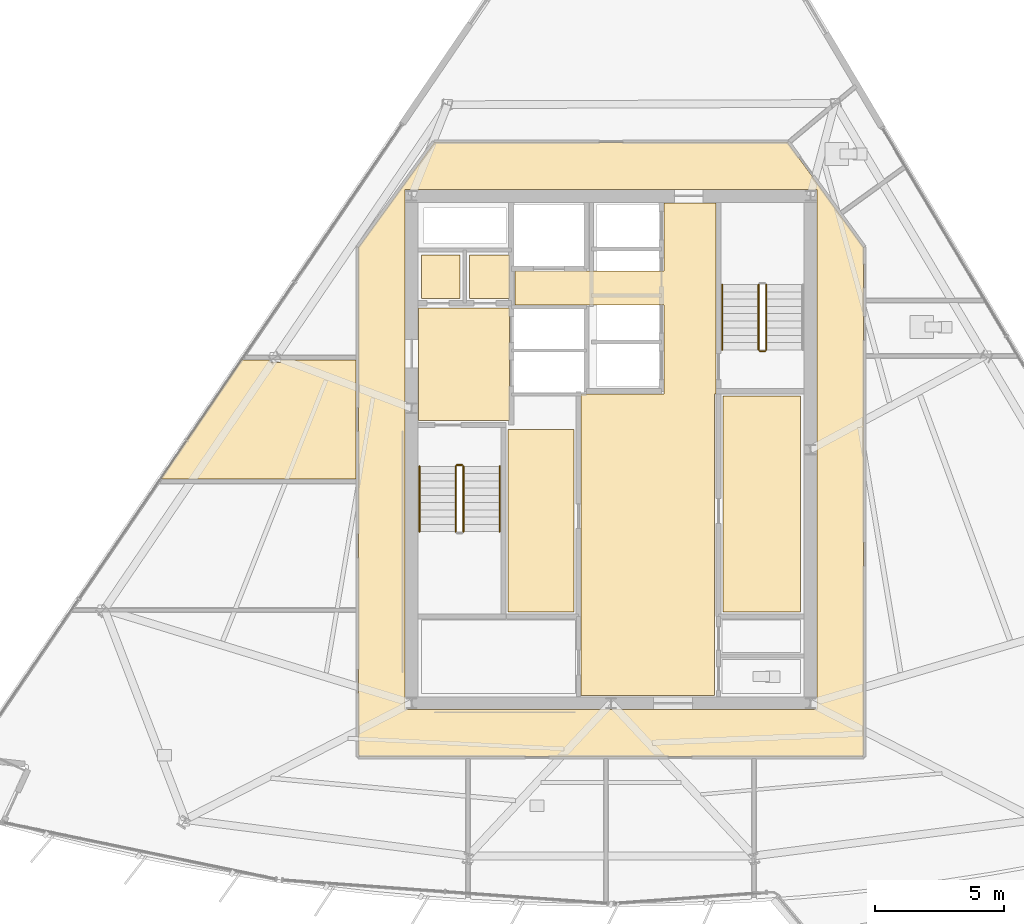
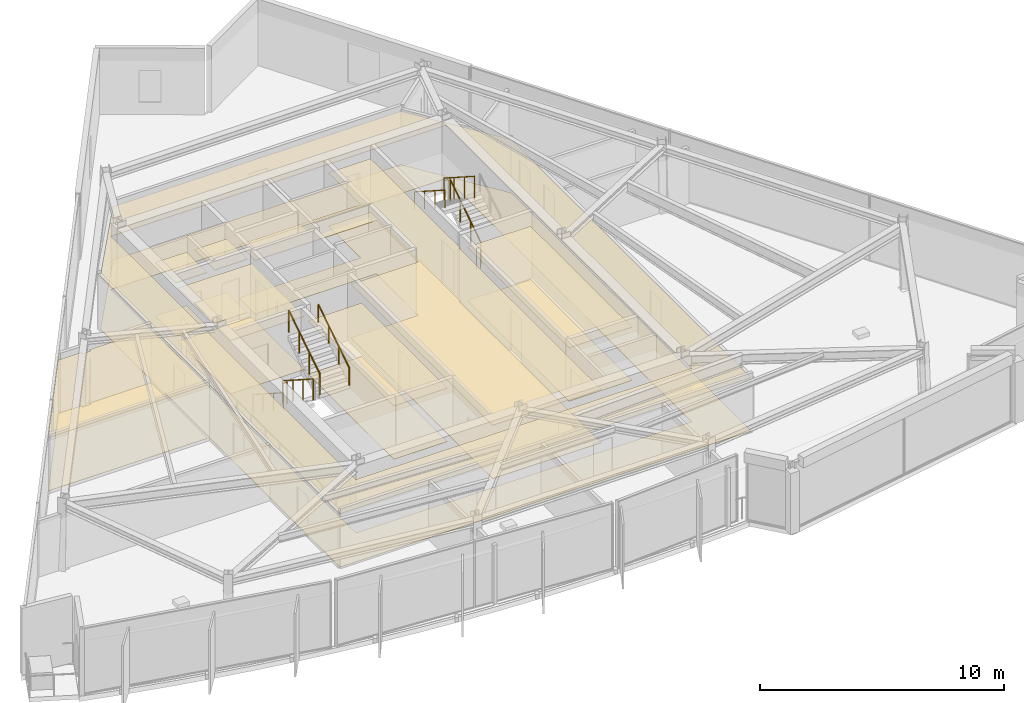
# One storey, part 11 of 14: 16 coverings, 9 railings.
"""IFC4 building model written with IfcOpenShell, lengths in metres."""

from ifc_helpers import new_model, si_unit, direction, frame, origin, origin_2d, place, context, subcontext, project, spatial, polyline, circle, outline, extrude, material, layer, layer_set, type_object, element, save


model = new_model("IFC4")

# Units and contexts
model_context = context("Model", 3, precision=1e-05, world=origin(), true_north=direction((0.0, 1.0)))
body_context = subcontext(model_context, "Body", "Model", "MODEL_VIEW")
ifc_project = project(units=[si_unit("LENGTHUNIT", "METRE"), si_unit("AREAUNIT", "SQUARE_METRE"), si_unit("VOLUMEUNIT", "CUBIC_METRE"), si_unit("PLANEANGLEUNIT", "RADIAN"), si_unit("MASSUNIT", "GRAM", prefix="KILO")], contexts=[model_context])

# Site, building, storey
site_placement = place(None, origin())
site = spatial("IfcSite", under=ifc_project, at=site_placement, CompositionType="ELEMENT")
building_placement = place(site_placement, origin())
building = spatial("IfcBuilding", under=site, at=building_placement, Name="Savorim Split Tower", CompositionType="ELEMENT")
storey_placement = place(building_placement, frame((0.0, 0.0, 219.89990234375)))
storey = spatial("IfcBuildingStorey", under=building, at=storey_placement, Name="L58", CompositionType="ELEMENT", Elevation=219.89990234375)

# Coverings
ifc_material_1 = material(Name="Mineral Fibre Acoustic Ceiling")
ifc_layer_1 = layer(ifc_material_1, 0.02490234375)
ifc_layer_set_1 = layer_set([ifc_layer_1], Name="COV-CEIL-25")
covering_type_1 = type_object("IfcCoveringType", Name="COV-CEIL-25", PredefinedType="CEILING", material=ifc_layer_set_1)
covering_1_placement = place(storey_placement, frame((0.0, 0.0, 2.670166015625)))
element("IfcCovering", 1, at=covering_1_placement, inside=storey, type_object=covering_type_1, Name="L58 Firefighting Lift Lobby Acoustic Ceiling", PredefinedType="CEILING", context=body_context, shape_type="SweptSolid", body=[
    extrude(outline(polyline([(-7.429931640625, 5.8701171875), (-7.429931640625, 1.530029296875), (-3.929931640625, 1.530029296875), (-3.929931640625, 5.8701171875), (-7.429931640625, 5.8701171875)])), origin(), (0.0, 0.0, 1.0), 0.02490234375),
])
covering_2_placement = place(storey_placement, frame((0.0, 0.0, 2.670166015625)))
element("IfcCovering", 2, at=covering_2_placement, inside=storey, type_object=covering_type_1, Name="L58 Electrical Riser Acoustic Ceiling", PredefinedType="CEILING", context=body_context, shape_type="SweptSolid", body=[
    extrude(outline(polyline([(-7.320068359375, 7.919921875), (-7.320068359375, 6.22998046875), (-5.830078125, 6.22998046875), (-5.830078125, 7.919921875), (-7.320068359375, 7.919921875)])), origin(), (0.0, 0.0, 1.0), 0.02490234375),
])
covering_3_placement = place(storey_placement, frame((0.0, 0.0, 2.670166015625)))
element("IfcCovering", 3, at=covering_3_placement, inside=storey, type_object=covering_type_1, Name="L58 Telecom Riser Acoustic Ceiling", PredefinedType="CEILING", context=body_context, shape_type="SweptSolid", body=[
    extrude(outline(polyline([(-5.469970703125, 7.919921875), (-5.469970703125, 6.22998046875), (-3.929931640625, 6.22998046875), (-3.929931640625, 7.919921875), (-5.469970703125, 7.919921875)])), origin(), (0.0, 0.0, 1.0), 0.02490234375),
])
covering_4_placement = place(storey_placement, frame((0.0, 0.0, 2.670166015625)))
element("IfcCovering", 4, at=covering_4_placement, inside=storey, type_object=covering_type_1, Name="L58 Lift Lobby Acoustic Ceiling", PredefinedType="CEILING", context=body_context, shape_type="SweptSolid", body=[
    extrude(outline(polyline([(2.050048828125, 2.550048828125), (-1.14990234375, 2.550048828125), (-1.14990234375, -9.10009765625), (4.0, -9.10009765625), (4.0, 2.550048828125), (4.050048828125, 2.550048828125), (4.050048828125, 5.97998046875), (4.050048828125, 7.300048828125), (4.050048828125, 9.929931640625), (2.050048828125, 9.929931640625), (2.050048828125, 7.300048828125), (-3.699951171875, 7.300048828125), (-3.699951171875, 5.97998046875), (2.050048828125, 5.97998046875), (2.050048828125, 2.550048828125)])), origin(), (0.0, 0.0, 1.0), 0.02490234375),
])
covering_5_placement = place(storey_placement, frame((0.0, 0.0, 2.670166015625)))
element("IfcCovering", 5, at=covering_5_placement, inside=storey, type_object=covering_type_1, Name="L58 Shared Pantry and Linen Room Acoustic Ceiling", PredefinedType="CEILING", context=body_context, shape_type="SweptSolid", body=[
    extrude(outline(polyline([(4.330078125, 2.469970703125), (4.330078125, -5.8701171875), (7.320068359375, -5.8701171875), (7.320068359375, 2.469970703125), (4.330078125, 2.469970703125)])), origin(), (0.0, 0.0, 1.0), 0.02490234375),
])
covering_6_placement = place(storey_placement, frame((0.0, 0.0, 2.670166015625)))
element("IfcCovering", 6, at=covering_6_placement, inside=storey, type_object=covering_type_1, Name="L58 Housekeeping and Parcel Room Acoustic Ceiling", PredefinedType="CEILING", context=body_context, shape_type="SweptSolid", body=[
    extrude(outline(polyline([(-3.969970703125, 1.169921875), (-3.969970703125, -5.8701171875), (-1.429931640625, -5.8701171875), (-1.429931640625, 1.169921875), (-3.969970703125, 1.169921875)])), origin(), (0.0, 0.0, 1.0), 0.02490234375),
])
covering_7_placement = place(storey_placement, frame((0.0, 0.0, 2.670166015625)))
element("IfcCovering", 7, at=covering_7_placement, inside=storey, type_object=covering_type_1, Name="L58 Corridor Acoustic Ceiling", PredefinedType="CEILING", context=body_context, shape_type="SweptSolid", body=[
    extrude(outline(polyline([(6.809326171875, 12.2490234375), (6.8046875, 12.249755859375), (6.800048828125, 12.25), (-6.800048828125, 12.25), (-6.8046875, 12.249755859375), (-6.809326171875, 12.2490234375), (-6.81396484375, 12.248046875), (-6.818359375, 12.24658203125), (-6.82275390625, 12.244384765625), (-6.826904296875, 12.2421875), (-6.830810546875, 12.239501953125), (-6.834228515625, 12.236328125), (-6.83740234375, 12.23291015625), (-6.840576171875, 12.229248046875), (-9.740478515625, 8.229248046875), (-9.743408203125, 8.22509765625), (-9.74560546875, 8.22021484375), (-9.74755859375, 8.21533203125), (-9.748779296875, 8.21044921875), (-9.749755859375, 8.205078125), (-9.75, 8.199951171875), (-9.75, -11.39990234375), (-9.749755859375, -11.40478515625), (-9.7490234375, -11.409912109375), (-9.747802734375, -11.41455078125), (-9.74609375, -11.419189453125), (-9.744140625, -11.423583984375), (-9.74169921875, -11.427734375), (-9.73876953125, -11.431640625), (-9.7353515625, -11.435302734375), (-9.731689453125, -11.438720703125), (-9.727783203125, -11.441650390625), (-9.7236328125, -11.444091796875), (-9.718994140625, -11.4462890625), (-9.714599609375, -11.44775390625), (-9.709716796875, -11.448974609375), (-9.704833984375, -11.44970703125), (-9.699951171875, -11.449951171875), (9.699951171875, -11.449951171875), (9.704833984375, -11.44970703125), (9.709716796875, -11.448974609375), (9.714599609375, -11.44775390625), (9.718994140625, -11.4462890625), (9.7236328125, -11.444091796875), (9.727783203125, -11.441650390625), (9.731689453125, -11.438720703125), (9.7353515625, -11.435302734375), (9.73876953125, -11.431640625), (9.74169921875, -11.427734375), (9.744140625, -11.423583984375), (9.74609375, -11.419189453125), (9.747802734375, -11.41455078125), (9.7490234375, -11.409912109375), (9.749755859375, -11.40478515625), (9.75, -11.39990234375), (9.75, 8.199951171875), (9.749755859375, 8.205078125), (9.748779296875, 8.21044921875), (9.74755859375, 8.21533203125), (9.74560546875, 8.22021484375), (9.743408203125, 8.22509765625), (9.740478515625, 8.229248046875), (6.840576171875, 12.229248046875), (6.83740234375, 12.23291015625), (6.834228515625, 12.236328125), (6.830810546875, 12.239501953125), (6.826904296875, 12.2421875), (6.82275390625, 12.244384765625), (6.818359375, 12.24658203125), (6.81396484375, 12.248046875), (6.809326171875, 12.2490234375)]), holes=[polyline([(-7.949951171875, 10.449951171875), (-7.949951171875, -9.64990234375), (7.949951171875, -9.64990234375), (7.949951171875, 10.449951171875), (-7.949951171875, 10.449951171875)])]), origin(), (0.0, 0.0, 1.0), 0.02490234375),
])
covering_8_placement = place(storey_placement, frame((0.0, 0.0, 2.670166015625)))
element("IfcCovering", 8, at=covering_8_placement, inside=storey, type_object=covering_type_1, Name="L58 Quiet Study Room Acoustic Ceiling", PredefinedType="CEILING", context=body_context, shape_type="SweptSolid", body=[
    extrude(outline(polyline([(-13.167236328125, 3.862060546875), (-14.140625, 3.862060546875), (-14.235595703125, 3.862060546875), (-14.235595703125, 3.90625), (-17.397705078125, -0.741943359375), (-9.840087890625, -0.741943359375), (-9.840087890625, 3.862060546875), (-12.773193359375, 3.862060546875), (-12.773193359375, 3.760986328125), (-13.167236328125, 3.760986328125), (-13.167236328125, 3.862060546875)])), origin(), (0.0, 0.0, 1.0), 0.02490234375),
])
ifc_material_2 = material(Name="Porcelain Stoneware Flooring", Category="masonry")
ifc_layer_2 = layer(ifc_material_2, 0.02001953125)
ifc_layer_set_2 = layer_set([ifc_layer_2], Name="COV-FLOR-20")
covering_type_2 = type_object("IfcCoveringType", Name="COV-FLOR-20", PredefinedType="FLOORING", material=ifc_layer_set_2)
covering_9_placement = place(storey_placement, origin())
element("IfcCovering", 9, at=covering_9_placement, inside=storey, type_object=covering_type_2, Name="L58 Firefighting Lift Lobby Porcelain Flooring", PredefinedType="FLOORING", context=body_context, shape_type="SweptSolid", body=[
    extrude(outline(polyline([(-7.429931640625, 5.8701171875), (-7.429931640625, 1.530029296875), (-3.929931640625, 1.530029296875), (-3.929931640625, 5.8701171875), (-7.429931640625, 5.8701171875)])), origin(), (0.0, 0.0, 1.0), 0.02001953125),
])
covering_10_placement = place(storey_placement, origin())
element("IfcCovering", 10, at=covering_10_placement, inside=storey, type_object=covering_type_2, Name="L58 Electrical Riser Porcelain Flooring", PredefinedType="FLOORING", context=body_context, shape_type="SweptSolid", body=[
    extrude(outline(polyline([(-7.320068359375, 7.919921875), (-7.320068359375, 6.22998046875), (-5.830078125, 6.22998046875), (-5.830078125, 7.919921875), (-7.320068359375, 7.919921875)])), origin(), (0.0, 0.0, 1.0), 0.02001953125),
])
covering_11_placement = place(storey_placement, origin())
element("IfcCovering", 11, at=covering_11_placement, inside=storey, type_object=covering_type_2, Name="L58 Telecom Riser Porcelain Flooring", PredefinedType="FLOORING", context=body_context, shape_type="SweptSolid", body=[
    extrude(outline(polyline([(-5.469970703125, 7.919921875), (-5.469970703125, 6.22998046875), (-3.929931640625, 6.22998046875), (-3.929931640625, 7.919921875), (-5.469970703125, 7.919921875)])), origin(), (0.0, 0.0, 1.0), 0.02001953125),
])
covering_12_placement = place(storey_placement, origin())
element("IfcCovering", 12, at=covering_12_placement, inside=storey, type_object=covering_type_2, Name="L58 Lift Lobby Porcelain Flooring", PredefinedType="FLOORING", context=body_context, shape_type="SweptSolid", body=[
    extrude(outline(polyline([(2.050048828125, 2.550048828125), (-1.14990234375, 2.550048828125), (-1.14990234375, -9.10009765625), (4.0, -9.10009765625), (4.0, 2.550048828125), (4.050048828125, 2.550048828125), (4.050048828125, 5.97998046875), (4.050048828125, 7.300048828125), (4.050048828125, 9.929931640625), (2.050048828125, 9.929931640625), (2.050048828125, 7.300048828125), (-3.699951171875, 7.300048828125), (-3.699951171875, 5.97998046875), (2.050048828125, 5.97998046875), (2.050048828125, 2.550048828125)])), origin(), (0.0, 0.0, 1.0), 0.02001953125),
])
covering_13_placement = place(storey_placement, origin())
element("IfcCovering", 13, at=covering_13_placement, inside=storey, type_object=covering_type_2, Name="L58 Shared Pantry and Linen Room Porcelain Flooring", PredefinedType="FLOORING", context=body_context, shape_type="SweptSolid", body=[
    extrude(outline(polyline([(4.330078125, 2.469970703125), (4.330078125, -5.8701171875), (7.320068359375, -5.8701171875), (7.320068359375, 2.469970703125), (4.330078125, 2.469970703125)])), origin(), (0.0, 0.0, 1.0), 0.02001953125),
])
covering_14_placement = place(storey_placement, origin())
element("IfcCovering", 14, at=covering_14_placement, inside=storey, type_object=covering_type_2, Name="L58 Housekeeping and Parcel Room Porcelain Flooring", PredefinedType="FLOORING", context=body_context, shape_type="SweptSolid", body=[
    extrude(outline(polyline([(-3.969970703125, 1.169921875), (-3.969970703125, -5.8701171875), (-1.429931640625, -5.8701171875), (-1.429931640625, 1.169921875), (-3.969970703125, 1.169921875)])), origin(), (0.0, 0.0, 1.0), 0.02001953125),
])
covering_15_placement = place(storey_placement, origin())
element("IfcCovering", 15, at=covering_15_placement, inside=storey, type_object=covering_type_2, Name="L58 Corridor Porcelain Flooring", PredefinedType="FLOORING", context=body_context, shape_type="SweptSolid", body=[
    extrude(outline(polyline([(6.809326171875, 12.2490234375), (6.8046875, 12.249755859375), (6.800048828125, 12.25), (-6.800048828125, 12.25), (-6.8046875, 12.249755859375), (-6.809326171875, 12.2490234375), (-6.81396484375, 12.248046875), (-6.818359375, 12.24658203125), (-6.82275390625, 12.244384765625), (-6.826904296875, 12.2421875), (-6.830810546875, 12.239501953125), (-6.834228515625, 12.236328125), (-6.83740234375, 12.23291015625), (-6.840576171875, 12.229248046875), (-9.740478515625, 8.229248046875), (-9.743408203125, 8.22509765625), (-9.74560546875, 8.22021484375), (-9.74755859375, 8.21533203125), (-9.748779296875, 8.21044921875), (-9.749755859375, 8.205078125), (-9.75, 8.199951171875), (-9.75, -11.39990234375), (-9.749755859375, -11.40478515625), (-9.7490234375, -11.409912109375), (-9.747802734375, -11.41455078125), (-9.74609375, -11.419189453125), (-9.744140625, -11.423583984375), (-9.74169921875, -11.427734375), (-9.73876953125, -11.431640625), (-9.7353515625, -11.435302734375), (-9.731689453125, -11.438720703125), (-9.727783203125, -11.441650390625), (-9.7236328125, -11.444091796875), (-9.718994140625, -11.4462890625), (-9.714599609375, -11.44775390625), (-9.709716796875, -11.448974609375), (-9.704833984375, -11.44970703125), (-9.699951171875, -11.449951171875), (9.699951171875, -11.449951171875), (9.704833984375, -11.44970703125), (9.709716796875, -11.448974609375), (9.714599609375, -11.44775390625), (9.718994140625, -11.4462890625), (9.7236328125, -11.444091796875), (9.727783203125, -11.441650390625), (9.731689453125, -11.438720703125), (9.7353515625, -11.435302734375), (9.73876953125, -11.431640625), (9.74169921875, -11.427734375), (9.744140625, -11.423583984375), (9.74609375, -11.419189453125), (9.747802734375, -11.41455078125), (9.7490234375, -11.409912109375), (9.749755859375, -11.40478515625), (9.75, -11.39990234375), (9.75, 8.199951171875), (9.749755859375, 8.205078125), (9.748779296875, 8.21044921875), (9.74755859375, 8.21533203125), (9.74560546875, 8.22021484375), (9.743408203125, 8.22509765625), (9.740478515625, 8.229248046875), (6.840576171875, 12.229248046875), (6.83740234375, 12.23291015625), (6.834228515625, 12.236328125), (6.830810546875, 12.239501953125), (6.826904296875, 12.2421875), (6.82275390625, 12.244384765625), (6.818359375, 12.24658203125), (6.81396484375, 12.248046875), (6.809326171875, 12.2490234375)]), holes=[polyline([(-7.949951171875, 10.449951171875), (-7.949951171875, -9.64990234375), (7.949951171875, -9.64990234375), (7.949951171875, 10.449951171875), (-7.949951171875, 10.449951171875)])]), origin(), (0.0, 0.0, 1.0), 0.02001953125),
])
covering_16_placement = place(storey_placement, origin())
element("IfcCovering", 16, at=covering_16_placement, inside=storey, type_object=covering_type_2, Name="L58 Quiet Study Room Porcelain Flooring", PredefinedType="FLOORING", context=body_context, shape_type="SweptSolid", body=[
    extrude(outline(polyline([(-13.167236328125, 3.862060546875), (-14.140625, 3.862060546875), (-14.235595703125, 3.862060546875), (-14.235595703125, 3.90625), (-17.397705078125, -0.741943359375), (-9.840087890625, -0.741943359375), (-9.840087890625, 3.862060546875), (-12.773193359375, 3.862060546875), (-12.773193359375, 3.760986328125), (-13.167236328125, 3.760986328125), (-13.167236328125, 3.862060546875)])), origin(), (0.0, 0.0, 1.0), 0.02001953125),
])

# Railings
ifc_material_3 = material(Name="Galvanised Painted Steel Balustrade", Category="steel")
railing_type_1 = type_object("IfcRailingType", Name="RLG-HR-900", PredefinedType="HANDRAIL", material=ifc_material_3)
railing_1_placement = place(storey_placement, frame((-7.39990234375, -0.25, 0.18017578125)))
element("IfcRailing", 17, at=railing_1_placement, inside=storey, type_object=railing_type_1, Name="L58 ST-1 stair handrail 1", PredefinedType="HANDRAIL", context=body_context, shape_type="SweptSolid", body=[
    extrude(circle(Radius=0.02392578125, at=origin_2d()), frame((0.0, 0.0, 0.8759765625), z_axis=(0.0, -0.841199657755, 0.540724639528), x_axis=(1.0, 0.0, 0.0)), (0.0, 0.0, 1.0), 2.995849609375),
    extrude(circle(Radius=0.02099609375, at=origin_2d()), origin(), (0.0, 0.0, 1.0), 0.851806640625),
    extrude(circle(Radius=0.02099609375, at=origin_2d()), frame((0.0, -0.840087890625, 0.5400390625)), (0.0, 0.0, 1.0), 0.851806640625),
    extrude(circle(Radius=0.02099609375, at=origin_2d()), frame((0.0, -1.679931640625, 1.079833984375)), (0.0, 0.0, 1.0), 0.851806640625),
    extrude(circle(Radius=0.02099609375, at=origin_2d()), frame((0.0, -2.52001953125, 1.619873046875)), (0.0, 0.0, 1.0), 0.851806640625),
])
railing_2_placement = place(storey_placement, frame((-4.300048828125, -2.77001953125, 1.97998046875)))
element("IfcRailing", 18, at=railing_2_placement, inside=storey, type_object=railing_type_1, Name="L58 ST-1 stair handrail 2", PredefinedType="HANDRAIL", context=body_context, shape_type="SweptSolid", body=[
    extrude(circle(Radius=0.02392578125, at=origin_2d()), frame((0.0, 0.0, 0.8759765625), z_axis=(0.0, 0.841162588446, 0.540782303519), x_axis=(-1.0, 0.0, 0.0)), (0.0, 0.0, 1.0), 2.995849609375),
    extrude(circle(Radius=0.02099609375, at=origin_2d()), origin(), (0.0, 0.0, 1.0), 0.851806640625),
    extrude(circle(Radius=0.02099609375, at=origin_2d()), frame((0.0, 0.840087890625, 0.5400390625)), (0.0, 0.0, 1.0), 0.851806640625),
    extrude(circle(Radius=0.02099609375, at=origin_2d()), frame((0.0, 1.679931640625, 1.080078125)), (0.0, 0.0, 1.0), 0.851806640625),
    extrude(circle(Radius=0.02099609375, at=origin_2d()), frame((0.0, 2.52001953125, 1.6201171875)), (0.0, 0.0, 1.0), 0.851806640625),
])
railing_3_placement = place(storey_placement, frame((4.300048828125, 6.77001953125, 1.97998046875)))
element("IfcRailing", 19, at=railing_3_placement, inside=storey, type_object=railing_type_1, Name="L58 ST-2 stair handrail 2", PredefinedType="HANDRAIL", context=body_context, shape_type="SweptSolid", body=[
    extrude(circle(Radius=0.02392578125, at=origin_2d()), frame((0.0, 0.0, 0.8759765625), z_axis=(0.0, -0.841162588446, 0.540782303519), x_axis=(1.0, 0.0, 0.0)), (0.0, 0.0, 1.0), 2.995849609375),
    extrude(circle(Radius=0.02099609375, at=origin_2d()), origin(), (0.0, 0.0, 1.0), 0.851806640625),
    extrude(circle(Radius=0.02099609375, at=origin_2d()), frame((0.0, -0.840087890625, 0.5400390625)), (0.0, 0.0, 1.0), 0.851806640625),
    extrude(circle(Radius=0.02099609375, at=origin_2d()), frame((0.0, -1.679931640625, 1.080078125)), (0.0, 0.0, 1.0), 0.851806640625),
    extrude(circle(Radius=0.02099609375, at=origin_2d()), frame((0.0, -2.52001953125, 1.6201171875)), (0.0, 0.0, 1.0), 0.851806640625),
])
railing_type_2 = type_object("IfcRailingType", Name="RLG-STG-1100", PredefinedType="BALUSTRADE", material=ifc_material_3)
railing_4_placement = place(storey_placement, frame((-6.0, -0.25, 0.18017578125)))
element("IfcRailing", 20, at=railing_4_placement, inside=storey, type_object=railing_type_2, Name="L58 ST-1 stair guard 1", PredefinedType="BALUSTRADE", context=body_context, shape_type="SweptSolid", body=[
    extrude(circle(Radius=0.02392578125, at=origin_2d()), frame((0.0, 0.0, 1.076171875), z_axis=(0.0, -0.841199657755, 0.540724639528), x_axis=(1.0, 0.0, 0.0)), (0.0, 0.0, 1.0), 2.995849609375),
    extrude(circle(Radius=0.02099609375, at=origin_2d()), origin(), (0.0, 0.0, 1.0), 1.052001953125),
    extrude(circle(Radius=0.02099609375, at=origin_2d()), frame((0.0, -0.840087890625, 0.5400390625)), (0.0, 0.0, 1.0), 1.052001953125),
    extrude(circle(Radius=0.02099609375, at=origin_2d()), frame((0.0, -1.679931640625, 1.079833984375)), (0.0, 0.0, 1.0), 1.052001953125),
    extrude(circle(Radius=0.02099609375, at=origin_2d()), frame((0.0, -2.52001953125, 1.619873046875)), (0.0, 0.0, 1.0), 1.052001953125),
])
railing_5_placement = place(storey_placement, frame((-5.699951171875, -2.77001953125, 1.97998046875)))
element("IfcRailing", 21, at=railing_5_placement, inside=storey, type_object=railing_type_2, Name="L58 ST-1 stair guard 3", PredefinedType="BALUSTRADE", context=body_context, shape_type="SweptSolid", body=[
    extrude(circle(Radius=0.02392578125, at=origin_2d()), frame((0.0, 0.0, 1.076171875), z_axis=(0.0, 0.841162588446, 0.540782303519), x_axis=(-1.0, 0.0, 0.0)), (0.0, 0.0, 1.0), 2.995849609375),
    extrude(circle(Radius=0.02099609375, at=origin_2d()), origin(), (0.0, 0.0, 1.0), 1.052001953125),
    extrude(circle(Radius=0.02099609375, at=origin_2d()), frame((0.0, 0.840087890625, 0.5400390625)), (0.0, 0.0, 1.0), 1.052001953125),
    extrude(circle(Radius=0.02099609375, at=origin_2d()), frame((0.0, 1.679931640625, 1.080078125)), (0.0, 0.0, 1.0), 1.052001953125),
    extrude(circle(Radius=0.02099609375, at=origin_2d()), frame((0.0, 2.52001953125, 1.6201171875)), (0.0, 0.0, 1.0), 1.052001953125),
])
railing_6_placement = place(storey_placement, frame((-5.949951171875, -0.199951171875, 0.0)))
element("IfcRailing", 22, at=railing_6_placement, inside=storey, type_object=railing_type_2, Name="L58 ST-1 stair guard 4", PredefinedType="BALUSTRADE", context=body_context, shape_type="SweptSolid", body=[
    extrude(circle(Radius=0.02392578125, at=origin_2d()), frame((0.0, 0.0, 1.076171875), z_axis=(1.0, 0.0, 0.0), x_axis=(0.0, 1.0, 0.0)), (0.0, 0.0, 1.0), 0.199951171875),
    extrude(circle(Radius=0.02099609375, at=origin_2d()), origin(), (0.0, 0.0, 1.0), 1.052001953125),
    extrude(circle(Radius=0.02099609375, at=origin_2d()), frame((0.199951171875, 0.0, 0.0)), (0.0, 0.0, 1.0), 1.052001953125),
])
railing_7_placement = place(storey_placement, frame((6.0, 4.25, 0.18017578125)))
element("IfcRailing", 23, at=railing_7_placement, inside=storey, type_object=railing_type_2, Name="L58 ST-2 stair guard 1", PredefinedType="BALUSTRADE", context=body_context, shape_type="SweptSolid", body=[
    extrude(circle(Radius=0.02392578125, at=origin_2d()), frame((0.0, 0.0, 1.076171875), z_axis=(0.0, 0.841199657755, 0.540724639528), x_axis=(-1.0, 0.0, 0.0)), (0.0, 0.0, 1.0), 2.995849609375),
    extrude(circle(Radius=0.02099609375, at=origin_2d()), origin(), (0.0, 0.0, 1.0), 1.052001953125),
    extrude(circle(Radius=0.02099609375, at=origin_2d()), frame((0.0, 0.840087890625, 0.5400390625)), (0.0, 0.0, 1.0), 1.052001953125),
    extrude(circle(Radius=0.02099609375, at=origin_2d()), frame((0.0, 1.679931640625, 1.079833984375)), (0.0, 0.0, 1.0), 1.052001953125),
    extrude(circle(Radius=0.02099609375, at=origin_2d()), frame((0.0, 2.52001953125, 1.619873046875)), (0.0, 0.0, 1.0), 1.052001953125),
])
railing_8_placement = place(storey_placement, frame((5.699951171875, 6.77001953125, 1.97998046875)))
element("IfcRailing", 24, at=railing_8_placement, inside=storey, type_object=railing_type_2, Name="L58 ST-2 stair guard 3", PredefinedType="BALUSTRADE", context=body_context, shape_type="SweptSolid", body=[
    extrude(circle(Radius=0.02392578125, at=origin_2d()), frame((0.0, 0.0, 1.076171875), z_axis=(0.0, -0.841162588446, 0.540782303519), x_axis=(1.0, 0.0, 0.0)), (0.0, 0.0, 1.0), 2.995849609375),
    extrude(circle(Radius=0.02099609375, at=origin_2d()), origin(), (0.0, 0.0, 1.0), 1.052001953125),
    extrude(circle(Radius=0.02099609375, at=origin_2d()), frame((0.0, -0.840087890625, 0.5400390625)), (0.0, 0.0, 1.0), 1.052001953125),
    extrude(circle(Radius=0.02099609375, at=origin_2d()), frame((0.0, -1.679931640625, 1.080078125)), (0.0, 0.0, 1.0), 1.052001953125),
    extrude(circle(Radius=0.02099609375, at=origin_2d()), frame((0.0, -2.52001953125, 1.6201171875)), (0.0, 0.0, 1.0), 1.052001953125),
])
railing_9_placement = place(storey_placement, frame((5.949951171875, 4.199951171875, 0.0)))
element("IfcRailing", 25, at=railing_9_placement, inside=storey, type_object=railing_type_2, Name="L58 ST-2 stair guard 4", PredefinedType="BALUSTRADE", context=body_context, shape_type="SweptSolid", body=[
    extrude(circle(Radius=0.02392578125, at=origin_2d()), frame((0.0, 0.0, 1.076171875), z_axis=(-1.0, 0.0, 0.0), x_axis=(0.0, -1.0, 0.0)), (0.0, 0.0, 1.0), 0.199951171875),
    extrude(circle(Radius=0.02099609375, at=origin_2d()), origin(), (0.0, 0.0, 1.0), 1.052001953125),
    extrude(circle(Radius=0.02099609375, at=origin_2d()), frame((-0.199951171875, 0.0, 0.0)), (0.0, 0.0, 1.0), 1.052001953125),
])

save(model, "model.ifc")
